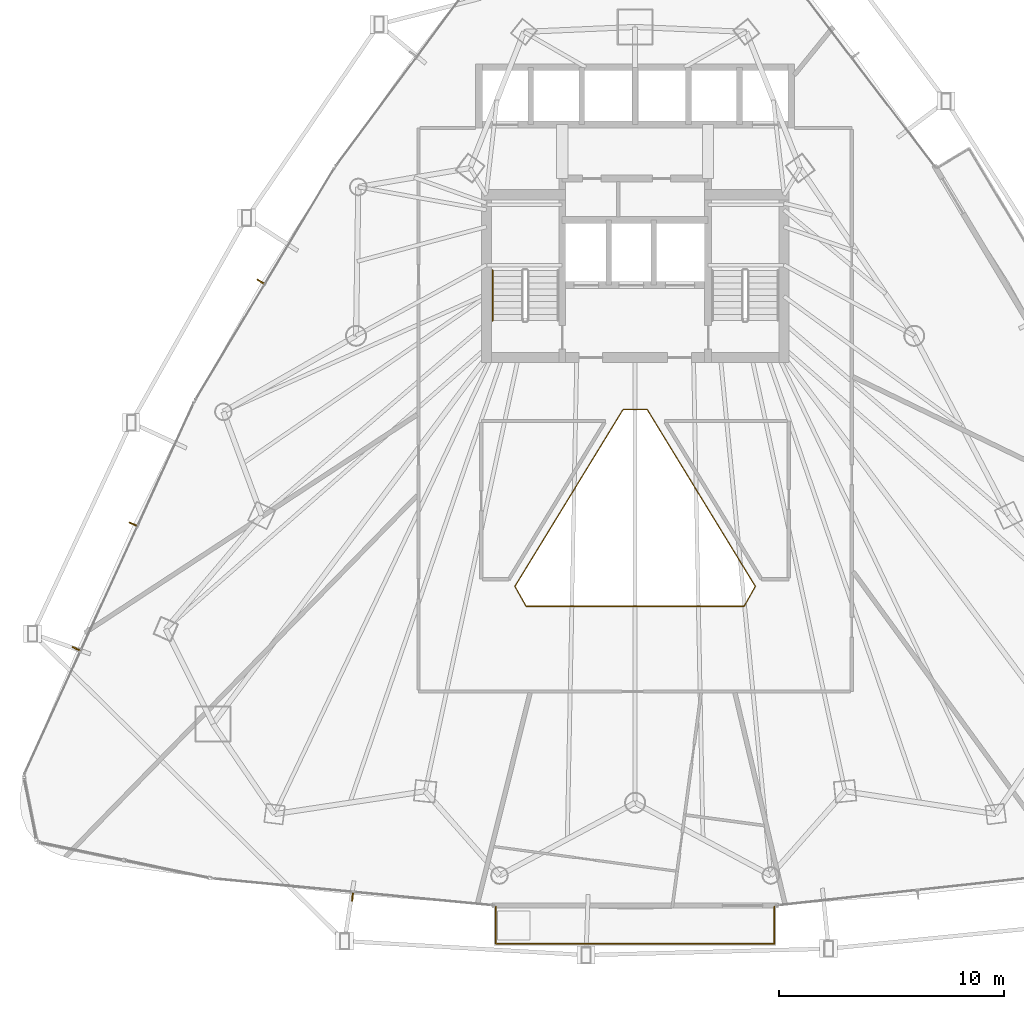
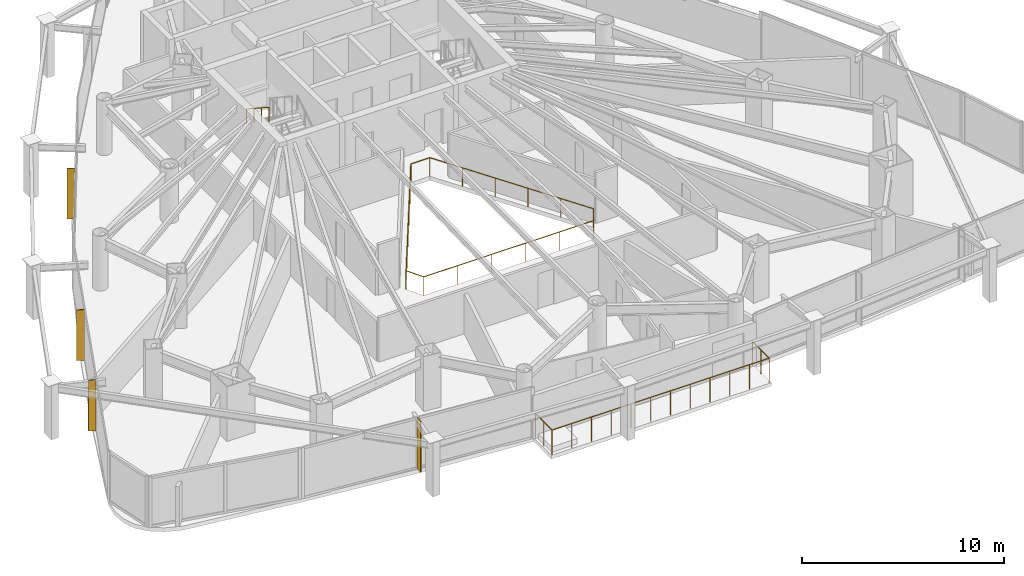
# One storey, part 31 of 33: 4 shading devices, 3 railings.
"""IFC4 building model written with IfcOpenShell, lengths in metres."""

from ifc_helpers import new_model, si_unit, direction, frame, origin, origin_2d, place, context, subcontext, project, spatial, rectangle, circle, extrude, material, layer, layer_set, type_object, element, save


model = new_model("IFC4")

# Units and contexts
model_context = context("Model", 3, precision=1e-05, world=origin(), true_north=direction((0.0, 1.0)))
body_context = subcontext(model_context, "Body", "Model", "MODEL_VIEW")
ifc_project = project(units=[si_unit("LENGTHUNIT", "METRE"), si_unit("AREAUNIT", "SQUARE_METRE"), si_unit("VOLUMEUNIT", "CUBIC_METRE"), si_unit("PLANEANGLEUNIT", "RADIAN"), si_unit("MASSUNIT", "GRAM", prefix="KILO")], contexts=[model_context])

# Site, building, storey
site_placement = place(None, origin())
site = spatial("IfcSite", under=ifc_project, at=site_placement, CompositionType="ELEMENT")
building_placement = place(site_placement, origin())
building = spatial("IfcBuilding", under=site, at=building_placement, Name="Orvanel Arch Residences", CompositionType="ELEMENT")
storey_placement = place(building_placement, frame((0.0, 0.0, 87.35009765625)))
storey = spatial("IfcBuildingStorey", under=building, at=storey_placement, Name="L24", CompositionType="ELEMENT", Elevation=87.35009765625)

# Shading devices
ifc_material_1 = material(Name="Bronze-anodised aluminium AA6063-T6", Category="aluminium")
ifc_layer = layer(ifc_material_1, 0.06005859375)
ifc_layer_set = layer_set([ifc_layer], Name="Bronze-anodised aluminium AA6063-T6")
shading_device_type = type_object("IfcShadingDeviceType", Name="FIN-BRZ-380", PredefinedType="USERDEFINED", material=ifc_layer_set)
for number, where, z_axis, x_axis, name in (
    (1, (16.318115234375, 30.055908203125, -0.000244140625), (0.0, 0.0, 1.0), (-0.857167300702, 0.51503807491, 0.0), "L24 Anodised Bronze Mullion FIN 01"),
    (2, (10.639892578125, 19.256103515625, -0.000244140625), (0.0, 0.0, 1.0), (-0.909961270877, 0.414693242656, 0.0), "L24 Anodised Bronze Mullion FIN 01"),
    (3, (8.10595703125, 13.705078125, -0.000244140625), (0.0, 0.0, 1.0), (-0.909961270877, 0.414693242656, 0.0), "L24 Anodised Bronze Mullion FIN 02"),
    (4, (20.4150390625, 2.655029296875, -0.000244140625), (0.0, 0.0, 1.0), (-0.09584575252, -0.995396198367, 0.0), "L24 Anodised Bronze Mullion FIN 01"),
):
    element("IfcShadingDevice", number, at=place(storey_placement, frame(where, z_axis=z_axis, x_axis=x_axis)), inside=storey, type_object=shading_device_type, Name=name, ObjectType="FIN", PredefinedType="USERDEFINED", context=body_context, shape_type="SweptSolid", body=[
        extrude(rectangle(XDim=0.3798828125, YDim=0.06005859375, at=origin_2d()), origin(), (0.0, 0.0, 1.0), 3.06005859375),
    ])

# Railings
railing_type_1 = type_object("IfcRailingType", Name="RL-ATR-1150", PredefinedType="BALUSTRADE", material=ifc_material_1)
railing_1_placement = place(storey_placement, frame((33.5419921875, 24.35009765625, 0.0)))
element("IfcRailing", 5, at=railing_1_placement, inside=storey, type_object=railing_type_1, Name="L24 Atrium Void Protective Balustrade", PredefinedType="BALUSTRADE", context=body_context, shape_type="SweptSolid", body=[
    extrude(circle(Radius=0.02392578125, at=origin_2d()), frame((-0.00146484375, 0.0, 1.1259765625), z_axis=(-1.0, 0.0, 0.0), x_axis=(0.0, -1.0, 0.0)), (0.0, 0.0, 1.0), 1.0810546875),
    extrude(circle(Radius=0.02392578125, at=origin_2d()), frame((-1.084716796875, -0.001220703125, 1.1259765625), z_axis=(-0.521634200297, -0.853169245273, 0.0), x_axis=(0.853169245273, -0.521634200297, 0.0)), (0.0, 0.0, 1.0), 9.218017578125),
    extrude(circle(Radius=0.02392578125, at=origin_2d()), frame((-5.893310546875, -7.868408203125, 1.1259765625), z_axis=(0.488471861753, -0.872579646952, 0.0), x_axis=(0.872579646952, 0.488471861753, 0.0)), (0.0, 0.0, 1.0), 1.0146484375),
    extrude(circle(Radius=0.02392578125, at=origin_2d()), frame((-5.3955078125, -8.755126953125, 1.1259765625), z_axis=(1.0, 0.0, 0.0), x_axis=(0.0, 1.0, 0.0)), (0.0, 0.0, 1.0), 9.70703125),
    extrude(circle(Radius=0.02392578125, at=origin_2d()), frame((4.313720703125, -8.75390625, 1.1259765625), z_axis=(0.488471861753, 0.872579646952, 0.0), x_axis=(-0.872579646952, 0.488471861753, 0.0)), (0.0, 0.0, 1.0), 1.0146484375),
    extrude(circle(Radius=0.02392578125, at=origin_2d()), frame((4.809326171875, -7.865966796875, 1.1259765625), z_axis=(-0.521634200297, 0.853169245273, 0.0), x_axis=(-0.853169245273, -0.521634200297, 0.0)), (0.0, 0.0, 1.0), 9.218017578125),
    extrude(circle(Radius=0.02099609375, at=origin_2d()), origin(), (0.0, 0.0, 1.0), 1.099853515625),
    extrude(circle(Radius=0.02099609375, at=origin_2d()), frame((-1.083984375, 0.0, 0.0)), (0.0, 0.0, 1.0), 1.099853515625),
    extrude(circle(Radius=0.02099609375, at=origin_2d()), frame((-2.0458984375, -1.573486328125, 0.0)), (0.0, 0.0, 1.0), 1.099853515625),
    extrude(circle(Radius=0.02099609375, at=origin_2d()), frame((-3.008056640625, -3.14697265625, 0.0)), (0.0, 0.0, 1.0), 1.099853515625),
    extrude(circle(Radius=0.02099609375, at=origin_2d()), frame((-3.969970703125, -4.72021484375, 0.0)), (0.0, 0.0, 1.0), 1.099853515625),
    extrude(circle(Radius=0.02099609375, at=origin_2d()), frame((-4.93212890625, -6.293701171875, 0.0)), (0.0, 0.0, 1.0), 1.099853515625),
    extrude(circle(Radius=0.02099609375, at=origin_2d()), frame((-5.89404296875, -7.8671875, 0.0)), (0.0, 0.0, 1.0), 1.099853515625),
    extrude(circle(Radius=0.02099609375, at=origin_2d()), frame((-5.39697265625, -8.755126953125, 0.0)), (0.0, 0.0, 1.0), 1.099853515625),
    extrude(circle(Radius=0.02099609375, at=origin_2d()), frame((-3.455078125, -8.755126953125, 0.0)), (0.0, 0.0, 1.0), 1.099853515625),
    extrude(circle(Radius=0.02099609375, at=origin_2d()), frame((-1.512939453125, -8.755126953125, 0.0)), (0.0, 0.0, 1.0), 1.099853515625),
    extrude(circle(Radius=0.02099609375, at=origin_2d()), frame((0.428955078125, -8.755126953125, 0.0)), (0.0, 0.0, 1.0), 1.099853515625),
    extrude(circle(Radius=0.02099609375, at=origin_2d()), frame((2.37109375, -8.755126953125, 0.0)), (0.0, 0.0, 1.0), 1.099853515625),
    extrude(circle(Radius=0.02099609375, at=origin_2d()), frame((4.31298828125, -8.755126953125, 0.0)), (0.0, 0.0, 1.0), 1.099853515625),
    extrude(circle(Radius=0.02099609375, at=origin_2d()), frame((4.81005859375, -7.8671875, 0.0)), (0.0, 0.0, 1.0), 1.099853515625),
    extrude(circle(Radius=0.02099609375, at=origin_2d()), frame((3.84814453125, -6.293701171875, 0.0)), (0.0, 0.0, 1.0), 1.099853515625),
    extrude(circle(Radius=0.02099609375, at=origin_2d()), frame((2.885986328125, -4.72021484375, 0.0)), (0.0, 0.0, 1.0), 1.099853515625),
    extrude(circle(Radius=0.02099609375, at=origin_2d()), frame((1.924072265625, -3.14697265625, 0.0)), (0.0, 0.0, 1.0), 1.099853515625),
    extrude(circle(Radius=0.02099609375, at=origin_2d()), frame((0.9619140625, -1.573486328125, 0.0)), (0.0, 0.0, 1.0), 1.099853515625),
])
railing_type_2 = type_object("IfcRailingType", Name="RL-BAL-1480", PredefinedType="BALUSTRADE", material=ifc_material_1)
railing_2_placement = place(storey_placement, frame((26.798095703125, 2.2099609375, 0.0)))
element("IfcRailing", 6, at=railing_2_placement, inside=storey, type_object=railing_type_2, Name="L24 Balcony Perimeter Guardrail Face 2", PredefinedType="BALUSTRADE", context=body_context, shape_type="SweptSolid", body=[
    extrude(circle(Radius=0.02392578125, at=origin_2d()), frame((0.0, -0.00146484375, 1.4560546875), z_axis=(0.0, -1.0, 0.0), x_axis=(1.0, 0.0, 0.0)), (0.0, 0.0, 1.0), 1.636962890625),
    extrude(circle(Radius=0.02392578125, at=origin_2d()), frame((0.00146484375, -1.639892578125, 1.4560546875), z_axis=(1.0, 0.0, 0.0), x_axis=(0.0, 1.0, 0.0)), (0.0, 0.0, 1.0), 12.40087890625),
    extrude(circle(Radius=0.02392578125, at=origin_2d()), frame((12.40380859375, -1.638427734375, 1.4560546875), z_axis=(0.0, 1.0, 0.0), x_axis=(-1.0, 0.0, 0.0)), (0.0, 0.0, 1.0), 1.636962890625),
    extrude(circle(Radius=0.02099609375, at=origin_2d()), origin(), (0.0, 0.0, 1.0), 1.429931640625),
    extrude(circle(Radius=0.02099609375, at=origin_2d()), frame((0.0, -0.81982421875, 0.0)), (0.0, 0.0, 1.0), 1.429931640625),
    extrude(circle(Radius=0.02099609375, at=origin_2d()), frame((0.0, -1.639892578125, 0.0)), (0.0, 0.0, 1.0), 1.429931640625),
    extrude(circle(Radius=0.02099609375, at=origin_2d()), frame((1.127685546875, -1.639892578125, 0.0)), (0.0, 0.0, 1.0), 1.429931640625),
    extrude(circle(Radius=0.02099609375, at=origin_2d()), frame((2.255126953125, -1.639892578125, 0.0)), (0.0, 0.0, 1.0), 1.429931640625),
    extrude(circle(Radius=0.02099609375, at=origin_2d()), frame((3.3828125, -1.639892578125, 0.0)), (0.0, 0.0, 1.0), 1.429931640625),
    extrude(circle(Radius=0.02099609375, at=origin_2d()), frame((4.510498046875, -1.639892578125, 0.0)), (0.0, 0.0, 1.0), 1.429931640625),
    extrude(circle(Radius=0.02099609375, at=origin_2d()), frame((5.63818359375, -1.639892578125, 0.0)), (0.0, 0.0, 1.0), 1.429931640625),
    extrude(circle(Radius=0.02099609375, at=origin_2d()), frame((6.765625, -1.639892578125, 0.0)), (0.0, 0.0, 1.0), 1.429931640625),
    extrude(circle(Radius=0.02099609375, at=origin_2d()), frame((7.893310546875, -1.639892578125, 0.0)), (0.0, 0.0, 1.0), 1.429931640625),
    extrude(circle(Radius=0.02099609375, at=origin_2d()), frame((9.02099609375, -1.639892578125, 0.0)), (0.0, 0.0, 1.0), 1.429931640625),
    extrude(circle(Radius=0.02099609375, at=origin_2d()), frame((10.148681640625, -1.639892578125, 0.0)), (0.0, 0.0, 1.0), 1.429931640625),
    extrude(circle(Radius=0.02099609375, at=origin_2d()), frame((11.276123046875, -1.639892578125, 0.0)), (0.0, 0.0, 1.0), 1.429931640625),
    extrude(circle(Radius=0.02099609375, at=origin_2d()), frame((12.40380859375, -1.639892578125, 0.0)), (0.0, 0.0, 1.0), 1.429931640625),
    extrude(circle(Radius=0.02099609375, at=origin_2d()), frame((12.40380859375, -0.81982421875, 0.0)), (0.0, 0.0, 1.0), 1.429931640625),
    extrude(circle(Radius=0.02099609375, at=origin_2d()), frame((12.40380859375, 0.0, 0.0)), (0.0, 0.0, 1.0), 1.429931640625),
])
ifc_material_2 = material(Name="Structural steel AS/NZS 1163 C350L0 (Grade 350)", Category="steel")
railing_type_3 = type_object("IfcRailingType", Name="RL-STAIR-HAND", PredefinedType="HANDRAIL", material=ifc_material_2)
railing_3_placement = place(storey_placement, frame((26.64990234375, 30.56005859375, 1.833251953125)))
element("IfcRailing", 7, at=railing_3_placement, inside=storey, type_object=railing_type_3, Name="L24 ST-1 stair handrail 2", PredefinedType="HANDRAIL", context=body_context, shape_type="SweptSolid", body=[
    extrude(circle(Radius=0.02392578125, at=origin_2d()), frame((0.0, -0.001220703125, 0.876708984375), z_axis=(0.0, -0.836636935527, 0.547757827979), x_axis=(1.0, 0.0, 0.0)), (0.0, 0.0, 1.0), 2.67431640625),
    extrude(circle(Radius=0.02099609375, at=origin_2d()), origin(), (0.0, 0.0, 1.0), 0.849853515625),
    extrude(circle(Radius=0.02099609375, at=origin_2d()), frame((0.0, -0.74658203125, 0.48876953125)), (0.0, 0.0, 1.0), 0.849853515625),
    extrude(circle(Radius=0.02099609375, at=origin_2d()), frame((0.0, -1.493408203125, 0.977783203125)), (0.0, 0.0, 1.0), 0.849853515625),
    extrude(circle(Radius=0.02099609375, at=origin_2d()), frame((0.0, -2.239990234375, 1.466552734375)), (0.0, 0.0, 1.0), 0.849853515625),
])

save(model, "model.ifc")
